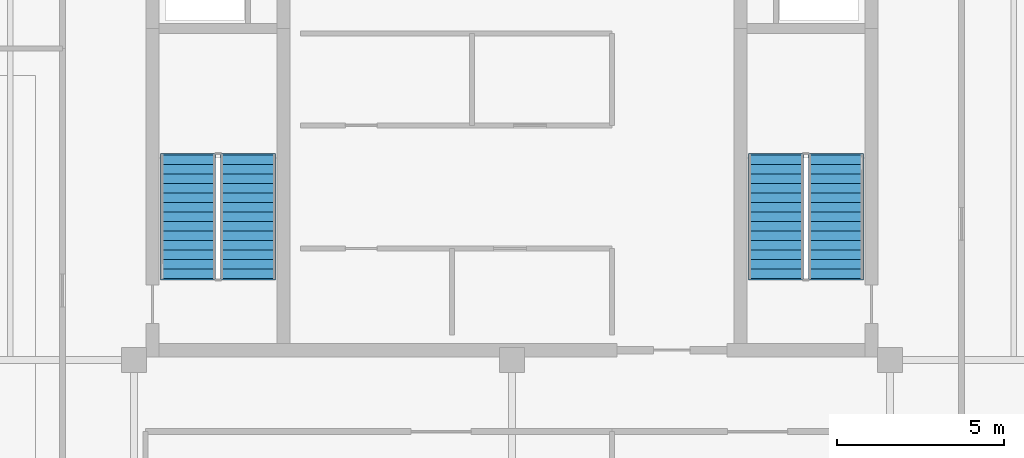
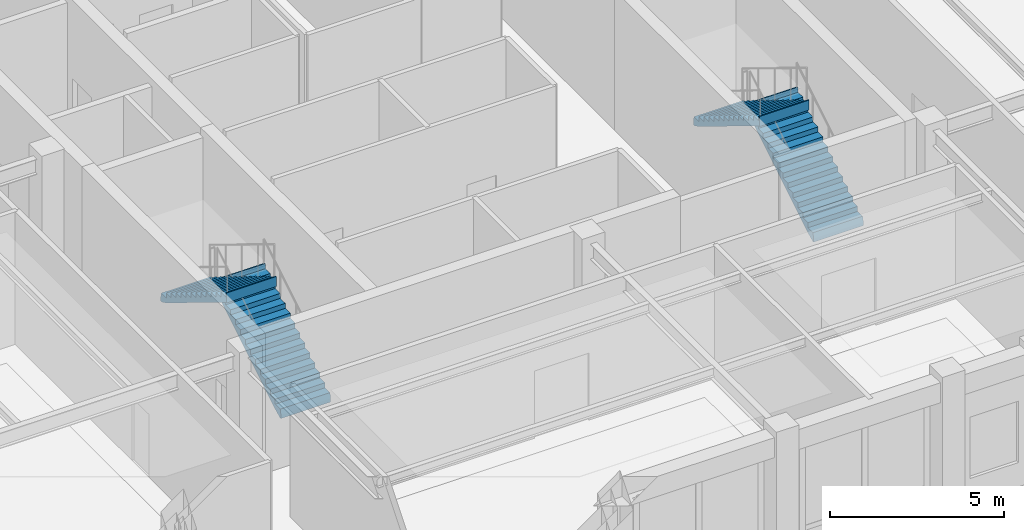
# One storey, part 10 of 13: 4 stair flights, 2 elements without a shape of their own.
"""IFC4 building model written with IfcOpenShell, lengths in metres."""

import ifcopenshell
import ifcopenshell.guid

model = None  # the IFC model being written
_history = None  # IfcOwnerHistory: only IFC2X3 demands one
_inside = {}  # id of a spatial element -> (the spatial element, [elements in it])
_under = {}  # id of a project, library or spatial element -> (it, [spatial elements below it])
_declared = {}  # id of a project -> (the project, [libraries it declares])
_typed = {}  # id of a type object -> (the type object, [elements of that type])
_made_of = {}  # id of a material, layer set ... -> (it, [elements and type objects made of it])


def new_model(schema):
    """Start an empty IFC model of exactly this schema.

    Asked for "IFC4X3", IfcOpenShell would pick the latest addendum, in which some entities
    have other attributes; the version numbers below select the first issue.
    IFC2X3 requires an IfcOwnerHistory on every rooted entity: one is made here for all.
    """
    global model, _history
    if schema == "IFC4X3":
        model = ifcopenshell.file(schema_version=(4, 3, 0, 0))
    else:
        model = ifcopenshell.file(schema=schema)
    _inside.clear()
    _under.clear()
    _declared.clear()
    _typed.clear()
    _made_of.clear()
    _history = None
    if model.schema == "IFC2X3":
        org = make("IfcOrganization", Name="unknown")
        user = make(
            "IfcPersonAndOrganization",
            ThePerson=make("IfcPerson", FamilyName="unknown"),
            TheOrganization=org,
        )
        app = make(
            "IfcApplication",
            ApplicationDeveloper=org,
            Version="unknown",
            ApplicationFullName="unknown",
            ApplicationIdentifier="unknown",
        )
        _history = make(
            "IfcOwnerHistory",
            OwningUser=user,
            OwningApplication=app,
            ChangeAction="ADDED",
            CreationDate=0,
        )
    return model


def make(cls, **values):
    """One entity of the class cls with the attributes given. An attribute that is None is left unset."""
    return model.create_entity(
        cls, **{name: value for name, value in values.items() if value is not None}
    )


def rooted(cls, **values):
    """An entity with a GlobalId (a new one), such as an element, a storey or a relation."""
    return make(cls, GlobalId=ifcopenshell.guid.new(), OwnerHistory=_history, **values)


def si_unit(unit_type, name, prefix=None):
    """IfcSIUnit, for example si_unit("LENGTHUNIT", "METRE", prefix="MILLI")."""
    return make("IfcSIUnit", UnitType=unit_type, Prefix=prefix, Name=name)


def assignment(units):
    """IfcUnitAssignment: the units of a project."""
    return None if units is None else make("IfcUnitAssignment", Units=units)


def point(xyz):
    """IfcCartesianPoint."""
    return None if xyz is None else make("IfcCartesianPoint", Coordinates=xyz)


def direction(xyz):
    """IfcDirection."""
    return None if xyz is None else make("IfcDirection", DirectionRatios=xyz)


def frame(location, z_axis=None, x_axis=None):
    """IfcAxis2Placement3D, a coordinate frame: its origin and axes. An axis left out is left unset."""
    return make(
        "IfcAxis2Placement3D",
        Location=point(location),
        Axis=direction(z_axis),
        RefDirection=direction(x_axis),
    )


def origin():
    """The frame at (0, 0, 0) with its axes left unset."""
    return frame((0.0, 0.0, 0.0))


def place(relative_to, where):
    """IfcLocalPlacement: puts the frame where relative to a parent placement (None: the world)."""
    return make(
        "IfcLocalPlacement", PlacementRelTo=relative_to, RelativePlacement=where
    )


def context(
    kind, dimensions, precision=None, world=None, true_north=None, identifier=None
):
    """IfcGeometricRepresentationContext, for example the 3D "Model" context."""
    return make(
        "IfcGeometricRepresentationContext",
        ContextIdentifier=identifier,
        ContextType=kind,
        CoordinateSpaceDimension=dimensions,
        Precision=precision,
        WorldCoordinateSystem=world,
        TrueNorth=true_north,
    )


def subcontext(parent, identifier, kind, view, scale=None):
    """IfcGeometricRepresentationSubContext, for example "Body" below "Model"."""
    return make(
        "IfcGeometricRepresentationSubContext",
        ContextIdentifier=identifier,
        ContextType=kind,
        ParentContext=parent,
        TargetScale=scale,
        TargetView=view,
    )


def project(units=None, contexts=None):
    """IfcProject with its units and contexts."""
    return rooted(
        "IfcProject",
        Name="project",
        RepresentationContexts=contexts,
        UnitsInContext=assignment(units),
    )


def spatial(cls, under=None, at=None, **own):
    """A site, building, storey or space (cls), placed at a placement, below another one or the project."""
    s = rooted(cls, ObjectPlacement=at, **own)
    if under is not None:
        _under.setdefault(under.id(), (under, []))[1].append(s)
    return s


def polyline(points):
    """IfcPolyline through the points."""
    return make("IfcPolyline", Points=[point(p) for p in points])


def outline(outer, holes=None, kind="AREA"):
    """IfcArbitraryClosedProfileDef: a profile drawn as a closed curve; with holes, ...WithVoids."""
    if holes is None:
        return make("IfcArbitraryClosedProfileDef", ProfileType=kind, OuterCurve=outer)
    return make(
        "IfcArbitraryProfileDefWithVoids",
        ProfileType=kind,
        OuterCurve=outer,
        InnerCurves=holes,
    )


def extrude(swept, where, along, depth):
    """IfcExtrudedAreaSolid: the profile swept, set in the frame where, extruded along a direction by depth."""
    return make(
        "IfcExtrudedAreaSolid",
        SweptArea=swept,
        Position=where,
        ExtrudedDirection=direction(along),
        Depth=depth,
    )


def shape(context_of_items, identifier, shape_type, items):
    """IfcShapeRepresentation: the items that make up one representation, for example the "Body"."""
    return make(
        "IfcShapeRepresentation",
        ContextOfItems=context_of_items,
        RepresentationIdentifier=identifier,
        RepresentationType=shape_type,
        Items=items,
    )


def material(Name=None, Category=None):
    """IfcMaterial."""
    return make("IfcMaterial", Name=Name, Category=Category)


def made_of(thing, what):
    """Note that an element or type object is made of a material, layer set ...; save() writes the relation."""
    if what is not None:
        _made_of.setdefault(what.id(), (what, []))[1].append(thing)
    return thing


def type_object(cls, material=None, **own):
    """A type object (cls), such as IfcWallType, which elements share."""
    return made_of(rooted(cls, **own), material)


def element(
    cls,
    number,
    at=None,
    inside=None,
    cuts=None,
    type_object=None,
    material=None,
    context=None,
    identifier="Body",
    shape_type=None,
    held_by="IfcProductDefinitionShape",
    body=None,
    shapes=None,
    **own,
):
    """One element of the class cls, such as IfcWall. Its Tag is "e" and its number.

    at: its placement. inside: the storey or other place that contains it. cuts: it is an
    opening in that element (IfcRelVoidsElement). A single representation is given by context,
    identifier, shape_type and body (its items); several are given by shapes. held_by: the class
    of the entity that holds the representations. save() writes the other relations.
    """
    e = rooted(cls, Tag="e%d" % number, ObjectPlacement=at, **own)
    if body is not None:
        shapes = [shape(context, identifier, shape_type, body)]
    if shapes is not None:
        e.Representation = make(held_by, Representations=shapes)
    if inside is not None:
        _inside.setdefault(inside.id(), (inside, []))[1].append(e)
    if cuts is not None:
        rooted(
            "IfcRelVoidsElement", RelatingBuildingElement=cuts, RelatedOpeningElement=e
        )
    if type_object is not None:
        _typed.setdefault(type_object.id(), (type_object, []))[1].append(e)
    return made_of(e, material)


def aggregate(whole, parts):
    """IfcRelAggregates: a whole, such as a stair, and the parts it consists of."""
    return rooted("IfcRelAggregates", RelatingObject=whole, RelatedObjects=parts)


def save(model, path):
    """Write the relations noted so far, then the file.

    IfcRelAggregates (storeys below a building ...), IfcRelContainedInSpatialStructure (elements
    in a storey), IfcRelDefinesByType, IfcRelAssociatesMaterial and IfcRelDeclares: one each for
    every whole, place, type object, material and project.
    """
    for whole, parts in _under.values():
        aggregate(whole, parts)
    for where, things in _inside.values():
        rooted(
            "IfcRelContainedInSpatialStructure",
            RelatedElements=things,
            RelatingStructure=where,
        )
    for kind, things in _typed.values():
        rooted("IfcRelDefinesByType", RelatedObjects=things, RelatingType=kind)
    for what, things in _made_of.values():
        rooted("IfcRelAssociatesMaterial", RelatedObjects=things, RelatingMaterial=what)
    for by, libraries in _declared.values():
        rooted("IfcRelDeclares", RelatingContext=by, RelatedDefinitions=libraries)
    model.write(path)


model = new_model("IFC4")

# Units and contexts
model_context = context("Model", 3, precision=1e-05, world=origin(), true_north=direction((0.0, 1.0)))
body_context = subcontext(model_context, "Body", "Model", "MODEL_VIEW")
ifc_project = project(units=[si_unit("LENGTHUNIT", "METRE"), si_unit("AREAUNIT", "SQUARE_METRE"), si_unit("VOLUMEUNIT", "CUBIC_METRE"), si_unit("PLANEANGLEUNIT", "RADIAN"), si_unit("MASSUNIT", "GRAM", prefix="KILO")], contexts=[model_context])

# Site, building, storey
site_placement = place(None, origin())
site = spatial("IfcSite", under=ifc_project, at=site_placement, CompositionType="ELEMENT")
building_placement = place(site_placement, origin())
building = spatial("IfcBuilding", under=site, at=building_placement, Name="Nhamokura Convention Tower", CompositionType="ELEMENT")
storey_placement = place(building_placement, frame((0.0, 0.0, 308.35009765625)))
storey = spatial("IfcBuildingStorey", under=building, at=storey_placement, Name="L76", CompositionType="ELEMENT", Elevation=308.35009765625)

# Stair, stair flights
ifc_material_1 = material(Name="Concrete C40/50", Category="concrete")
stair_type = type_object("IfcStairType", Name="TowerCoreStair_1650", PredefinedType="HALF_TURN_STAIR", material=ifc_material_1)
stair_1_placement = place(storey_placement, origin())
stair_1 = element("IfcStair", 1, at=stair_1_placement, inside=storey, type_object=stair_type, Name="L76 West Core Smokeproof Stair ST-01", PredefinedType="HALF_TURN_STAIR")
ifc_material_2 = material(Name="Concrete C40/50", Category="concrete")
stair_flight_type = type_object("IfcStairFlightType", Name="TowerCoreStair_1650_Flight", PredefinedType="STRAIGHT", material=ifc_material_2)
stair_flight_1_placement = place(storey_placement, frame((24.074951171875, 23.10009765625, 0.0), z_axis=(0.0, 0.0, 1.0), x_axis=(0.0, 1.0, 0.0)))
stair_flight_1 = element("IfcStairFlight", 2, at=stair_flight_1_placement, type_object=stair_flight_type, Name="ST-01 flight 1", NumberOfRisers=14, NumberOfTreads=13, PredefinedType="STRAIGHT", RiserHeight=0.175, TreadLength=0.285, context=body_context, shape_type="SweptSolid", body=[
    extrude(outline(polyline([(-0.0419921875, 0.0), (0.0, 0.175048828125), (0.284912109375, 0.175048828125), (0.284912109375, 0.35009765625), (0.570068359375, 0.35009765625), (0.570068359375, 0.52490234375), (0.85498046875, 0.52490234375), (0.85498046875, 0.699951171875), (1.139892578125, 0.699951171875), (1.139892578125, 0.875), (1.425048828125, 0.875), (1.425048828125, 1.050048828125), (1.7099609375, 1.050048828125), (1.7099609375, 1.22509765625), (1.9951171875, 1.22509765625), (1.9951171875, 1.39990234375), (2.280029296875, 1.39990234375), (2.280029296875, 1.574951171875), (2.56494140625, 1.574951171875), (2.56494140625, 1.75), (2.85009765625, 1.75), (2.85009765625, 1.925048828125), (3.135009765625, 1.925048828125), (3.135009765625, 2.10009765625), (3.419921875, 2.10009765625), (3.419921875, 2.27490234375), (3.705078125, 2.27490234375), (3.705078125, 2.449951171875), (3.7470703125, 2.449951171875), (3.7470703125, 2.09912109375), (3.705078125, 2.09912109375), (0.286376953125, 0.0), (0.02001953125, -0.1298828125), (-0.0419921875, -0.1298828125), (-0.0419921875, 0.0)])), frame((0.0, 0.824951171875, 0.0), z_axis=(0.0, -1.0, 0.0), x_axis=(1.0, 0.0, 0.0)), (0.0, 0.0, 1.0), 1.64990234375),
])
stair_flight_2_placement = place(storey_placement, frame((22.27490234375, 26.804931640625, 2.449951171875), z_axis=(0.0, 0.0, 1.0), x_axis=(0.0, -1.0, 0.0)))
stair_flight_2 = element("IfcStairFlight", 3, at=stair_flight_2_placement, type_object=stair_flight_type, Name="ST-01 flight 2", NumberOfRisers=14, NumberOfTreads=13, PredefinedType="STRAIGHT", RiserHeight=0.175, TreadLength=0.285, context=body_context, shape_type="SweptSolid", body=[
    extrude(outline(polyline([(-0.0419921875, 0.0), (0.0, 0.175048828125), (0.284912109375, 0.175048828125), (0.284912109375, 0.35009765625), (0.570068359375, 0.35009765625), (0.570068359375, 0.52490234375), (0.85498046875, 0.52490234375), (0.85498046875, 0.699951171875), (1.139892578125, 0.699951171875), (1.139892578125, 0.875), (1.425048828125, 0.875), (1.425048828125, 1.050048828125), (1.7099609375, 1.050048828125), (1.7099609375, 1.22509765625), (1.9951171875, 1.22509765625), (1.9951171875, 1.39990234375), (2.280029296875, 1.39990234375), (2.280029296875, 1.574951171875), (2.56494140625, 1.574951171875), (2.56494140625, 1.75), (2.85009765625, 1.75), (2.85009765625, 1.925048828125), (3.135009765625, 1.925048828125), (3.135009765625, 2.10009765625), (3.419921875, 2.10009765625), (3.419921875, 2.27490234375), (3.705078125, 2.27490234375), (3.705078125, 2.449951171875), (3.7470703125, 2.449951171875), (3.7470703125, 2.09912109375), (3.705078125, 2.09912109375), (0.286376953125, 0.0), (0.02001953125, -0.1298828125), (-0.0419921875, -0.1298828125), (-0.0419921875, 0.0)])), frame((0.0, 0.824951171875, 0.0), z_axis=(0.0, -1.0, 0.0), x_axis=(1.0, 0.0, 0.0)), (0.0, 0.0, 1.0), 1.64990234375),
])
aggregate(stair_1, [stair_flight_1, stair_flight_2])

stair_2_placement = place(storey_placement, origin())
stair_2 = element("IfcStair", 4, at=stair_2_placement, inside=storey, type_object=stair_type, Name="L76 East Core Smokeproof Stair ST-02", PredefinedType="HALF_TURN_STAIR")
stair_flight_3_placement = place(storey_placement, frame((41.72509765625, 23.10009765625, 0.0), z_axis=(0.0, 0.0, 1.0), x_axis=(0.0, 1.0, 0.0)))
stair_flight_3 = element("IfcStairFlight", 5, at=stair_flight_3_placement, type_object=stair_flight_type, Name="ST-02 flight 1", NumberOfRisers=14, NumberOfTreads=13, PredefinedType="STRAIGHT", RiserHeight=0.175, TreadLength=0.285, context=body_context, shape_type="SweptSolid", body=[
    extrude(outline(polyline([(-0.0419921875, 0.0), (0.0, 0.175048828125), (0.284912109375, 0.175048828125), (0.284912109375, 0.35009765625), (0.570068359375, 0.35009765625), (0.570068359375, 0.52490234375), (0.85498046875, 0.52490234375), (0.85498046875, 0.699951171875), (1.139892578125, 0.699951171875), (1.139892578125, 0.875), (1.425048828125, 0.875), (1.425048828125, 1.050048828125), (1.7099609375, 1.050048828125), (1.7099609375, 1.22509765625), (1.9951171875, 1.22509765625), (1.9951171875, 1.39990234375), (2.280029296875, 1.39990234375), (2.280029296875, 1.574951171875), (2.56494140625, 1.574951171875), (2.56494140625, 1.75), (2.85009765625, 1.75), (2.85009765625, 1.925048828125), (3.135009765625, 1.925048828125), (3.135009765625, 2.10009765625), (3.419921875, 2.10009765625), (3.419921875, 2.27490234375), (3.705078125, 2.27490234375), (3.705078125, 2.449951171875), (3.7470703125, 2.449951171875), (3.7470703125, 2.09912109375), (3.705078125, 2.09912109375), (0.286376953125, 0.0), (0.02001953125, -0.1298828125), (-0.0419921875, -0.1298828125), (-0.0419921875, 0.0)])), frame((0.0, 0.824951171875, 0.0), z_axis=(0.0, -1.0, 0.0), x_axis=(1.0, 0.0, 0.0)), (0.0, 0.0, 1.0), 1.64990234375),
])
stair_flight_4_placement = place(storey_placement, frame((39.925048828125, 26.804931640625, 2.449951171875), z_axis=(0.0, 0.0, 1.0), x_axis=(0.0, -1.0, 0.0)))
stair_flight_4 = element("IfcStairFlight", 6, at=stair_flight_4_placement, type_object=stair_flight_type, Name="ST-02 flight 2", NumberOfRisers=14, NumberOfTreads=13, PredefinedType="STRAIGHT", RiserHeight=0.175, TreadLength=0.285, context=body_context, shape_type="SweptSolid", body=[
    extrude(outline(polyline([(-0.0419921875, 0.0), (0.0, 0.175048828125), (0.284912109375, 0.175048828125), (0.284912109375, 0.35009765625), (0.570068359375, 0.35009765625), (0.570068359375, 0.52490234375), (0.85498046875, 0.52490234375), (0.85498046875, 0.699951171875), (1.139892578125, 0.699951171875), (1.139892578125, 0.875), (1.425048828125, 0.875), (1.425048828125, 1.050048828125), (1.7099609375, 1.050048828125), (1.7099609375, 1.22509765625), (1.9951171875, 1.22509765625), (1.9951171875, 1.39990234375), (2.280029296875, 1.39990234375), (2.280029296875, 1.574951171875), (2.56494140625, 1.574951171875), (2.56494140625, 1.75), (2.85009765625, 1.75), (2.85009765625, 1.925048828125), (3.135009765625, 1.925048828125), (3.135009765625, 2.10009765625), (3.419921875, 2.10009765625), (3.419921875, 2.27490234375), (3.705078125, 2.27490234375), (3.705078125, 2.449951171875), (3.7470703125, 2.449951171875), (3.7470703125, 2.09912109375), (3.705078125, 2.09912109375), (0.286376953125, 0.0), (0.02001953125, -0.1298828125), (-0.0419921875, -0.1298828125), (-0.0419921875, 0.0)])), frame((0.0, 0.824951171875, 0.0), z_axis=(0.0, -1.0, 0.0), x_axis=(1.0, 0.0, 0.0)), (0.0, 0.0, 1.0), 1.64990234375),
])
aggregate(stair_2, [stair_flight_3, stair_flight_4])

save(model, "model.ifc")
